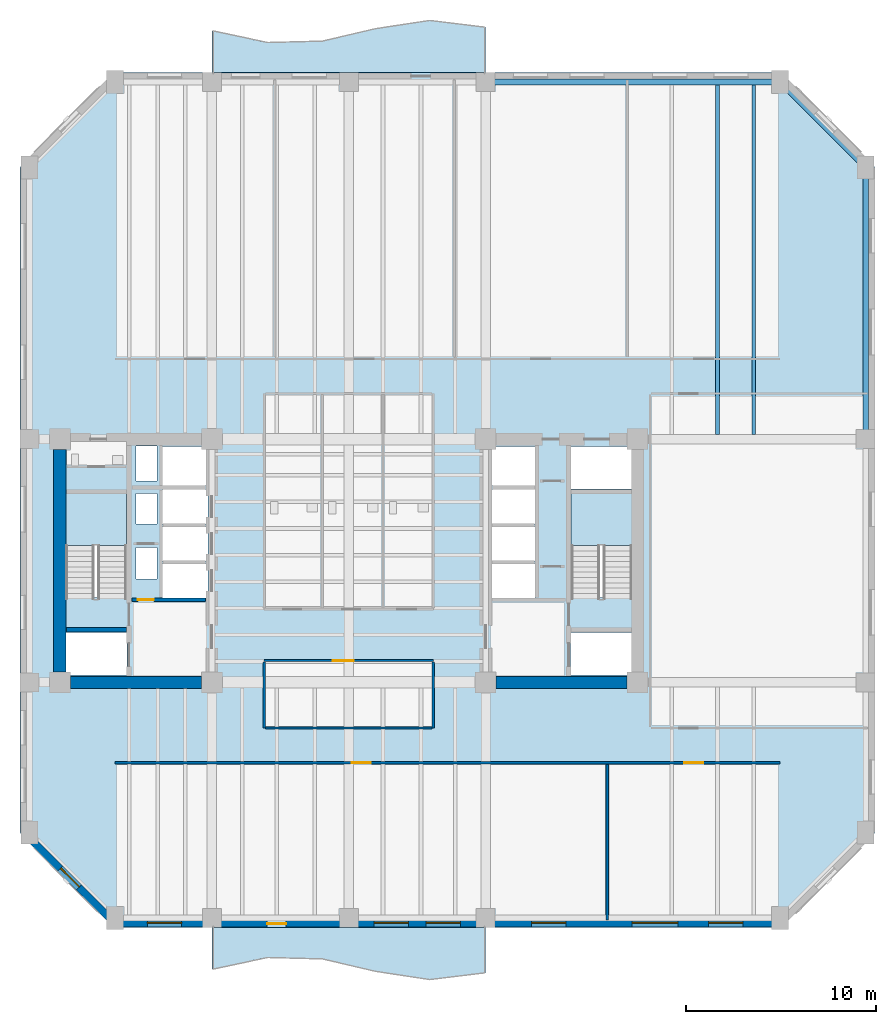
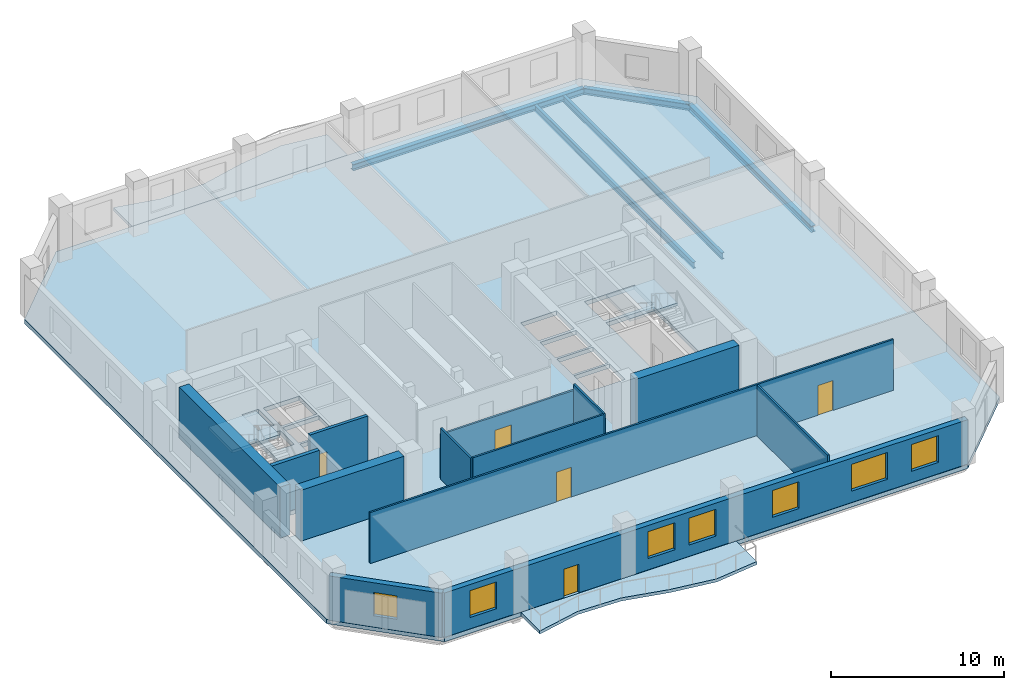
# One storey, part 2 of 9: 13 walls, 7 windows, 5 beams, 5 doors, 5 slabs, 12 openings, 2 elements without a shape of their own.
"""IFC4 building model written with IfcOpenShell, lengths in metres."""

from ifc_helpers import new_model, si_unit, direction, frame, frame_2d, origin, origin_2d, place, context, subcontext, project, spatial, polyline, rectangle, i_section, outline, extrude, material, layer, layer_set, material_profile, profile_set, type_object, element, fill, aggregate, save


model = new_model("IFC4")

# Units and contexts
model_context = context("Model", 3, precision=1e-05, world=origin(), true_north=direction((0.0, 1.0)))
body_context = subcontext(model_context, "Body", "Model", "MODEL_VIEW")
ifc_project = project(units=[si_unit("LENGTHUNIT", "METRE"), si_unit("AREAUNIT", "SQUARE_METRE"), si_unit("VOLUMEUNIT", "CUBIC_METRE"), si_unit("PLANEANGLEUNIT", "RADIAN"), si_unit("MASSUNIT", "GRAM", prefix="KILO")], contexts=[model_context])

# Site, building, storey
site_placement = place(None, origin())
site = spatial("IfcSite", under=ifc_project, at=site_placement, CompositionType="ELEMENT")
building_placement = place(site_placement, origin())
building = spatial("IfcBuilding", under=site, at=building_placement, Name="Kranthara Brick Stack", CompositionType="ELEMENT")
storey_placement = place(building_placement, frame((0.0, 0.0, 78.89990234375)))
storey = spatial("IfcBuildingStorey", under=building, at=storey_placement, Name="L19", CompositionType="ELEMENT", Elevation=78.89990234375)

# Beams
ifc_material_1 = material(Name="Steel S355", Category="steel")
ifc_material_profile_1 = material_profile(ifc_material_1, i_section(OverallWidth=0.18994140625, OverallDepth=0.449951171875, WebThickness=0.009521484375, FlangeThickness=0.0146484375, at=origin_2d()), Name="IPE 450")
ifc_profile_set_1 = profile_set([ifc_material_profile_1], Name="Steel S355")
beam_type_1 = type_object("IfcBeamType", Name="BM-JST-IPE450", PredefinedType="JOIST", material=ifc_profile_set_1)
for number, where, z_axis, x_axis, name in (
    (1, (47.39990234375, 33.85009765625, -0.52490234375), (0.0, 1.0, 0.0), (-1.0, 0.0, 0.0), "L19 North Wing Floor Joist 073"),
    (2, (49.300048828125, 33.85009765625, -0.52490234375), (0.0, 1.0, 0.0), (-1.0, 0.0, 0.0), "L19 North Wing Floor Joist 075"),
):
    element("IfcBeam", number, at=place(storey_placement, frame(where, z_axis=z_axis, x_axis=x_axis)), inside=storey, type_object=beam_type_1, Name=name, PredefinedType="JOIST", context=body_context, shape_type="SweptSolid", body=[
        extrude(i_section(OverallWidth=0.18994140625, OverallDepth=0.449951171875, WebThickness=0.009521484375, FlangeThickness=0.0146484375, at=origin_2d()), origin(), (0.0, 0.0, 1.0), 18.39990234375),
    ])
ifc_material_2 = material(Name="Steel S355", Category="steel")
ifc_material_profile_2 = material_profile(ifc_material_2, i_section(OverallWidth=0.300048828125, OverallDepth=0.449951171875, WebThickness=0.013916015625, FlangeThickness=0.02587890625, at=origin_2d()), Name="HEB 450")
ifc_profile_set_2 = profile_set([ifc_material_profile_2], Name="Steel S355")
beam_type_2 = type_object("IfcBeamType", Name="BM-STL-HEB450", PredefinedType="SPANDREL", material=ifc_profile_set_2)
beam_1_placement = place(storey_placement, frame((35.199951171875, 52.39990234375, -0.52490234375), z_axis=(1.0, 0.0, 0.0), x_axis=(0.0, 1.0, 0.0)))
element("IfcBeam", 3, at=beam_1_placement, inside=storey, type_object=beam_type_2, Name="L19 Perimeter Spandrel Beam 012", PredefinedType="SPANDREL", context=body_context, shape_type="SweptSolid", body=[
    extrude(i_section(OverallWidth=0.300048828125, OverallDepth=0.449951171875, WebThickness=0.013916015625, FlangeThickness=0.02587890625, at=origin_2d()), origin(), (0.0, 0.0, 1.0), 15.5),
])
beam_2_placement = place(storey_placement, frame((55.199951171875, 33.60009765625, -0.52490234375), z_axis=(0.0, 1.0, 0.0), x_axis=(-1.0, 0.0, 0.0)))
element("IfcBeam", 4, at=beam_2_placement, inside=storey, type_object=beam_type_2, Name="L19 Perimeter Spandrel Beam 018", PredefinedType="SPANDREL", context=body_context, shape_type="SweptSolid", body=[
    extrude(i_section(OverallWidth=0.300048828125, OverallDepth=0.449951171875, WebThickness=0.013916015625, FlangeThickness=0.02587890625, at=origin_2d()), origin(), (0.0, 0.0, 1.0), 14.2998046875),
])
beam_3_placement = place(storey_placement, frame((50.699951171875, 52.39990234375, -0.52490234375), z_axis=(0.707106781187, -0.707106781187, 0.0), x_axis=(0.707106781187, 0.707106781187, 0.0)))
element("IfcBeam", 5, at=beam_3_placement, inside=storey, type_object=beam_type_2, Name="L19 Chamfer Corner Spandrel 022", PredefinedType="SPANDREL", context=body_context, shape_type="SweptSolid", body=[
    extrude(i_section(OverallWidth=0.300048828125, OverallDepth=0.449951171875, WebThickness=0.013916015625, FlangeThickness=0.02587890625, at=origin_2d()), origin(), (0.0, 0.0, 1.0), 6.364013671875),
])

# Slabs
ifc_material_3 = material(Name="Concrete C45/55", Category="concrete")
ifc_layer_1 = layer(ifc_material_3, 0.219970703125)
ifc_layer_set_1 = layer_set([ifc_layer_1], Name="Concrete C45/55")
slab_type_1 = type_object("IfcSlabType", Name="SLB-BALC-220", PredefinedType="FLOOR", material=ifc_layer_set_1)
slab_1_placement = place(storey_placement, frame((0.0, 0.0, -0.219970703125)))
element("IfcSlab", 6, at=slab_1_placement, inside=storey, type_object=slab_type_1, Name="L19 South Rippling Balcony Slab", PredefinedType="FLOOR", context=body_context, shape_type="SweptSolid", body=[
    extrude(outline(polyline([(20.800048828125, 7.89990234375), (35.199951171875, 7.89990234375), (35.199951171875, 5.511474609375), (32.320068359375, 5.15087890625), (29.43994140625, 5.575439453125), (26.56005859375, 6.250732421875), (23.679931640625, 6.327880859375), (20.800048828125, 5.709716796875), (20.800048828125, 7.89990234375)])), origin(), (0.0, 0.0, 1.0), 0.219970703125),
])
slab_2_placement = place(storey_placement, frame((0.0, 0.0, -0.219970703125)))
element("IfcSlab", 7, at=slab_2_placement, inside=storey, type_object=slab_type_1, Name="L19 North Rippling Balcony Slab", PredefinedType="FLOOR", context=body_context, shape_type="SweptSolid", body=[
    extrude(outline(polyline([(35.199951171875, 52.89990234375), (20.800048828125, 52.89990234375), (20.800048828125, 55.09033203125), (23.679931640625, 54.47216796875), (26.56005859375, 54.549072265625), (29.43994140625, 55.224609375), (32.320068359375, 55.649169921875), (35.199951171875, 55.28857421875), (35.199951171875, 52.89990234375)])), origin(), (0.0, 0.0, 1.0), 0.219970703125),
])

# Stair, slab
ifc_material_4 = material(Name="Concrete C45/55", Category="concrete")
stair_type = type_object("IfcStairType", Name="ST-CORE-22R", PredefinedType="HALF_TURN_STAIR", material=ifc_material_4)
stair_1_placement = place(storey_placement, origin())
stair_1 = element("IfcStair", 8, at=stair_1_placement, inside=storey, type_object=stair_type, Name="L19 West Core Protected Exit Stair ST01", PredefinedType="HALF_TURN_STAIR")
ifc_material_5 = material(Name="Concrete C45/55", Category="concrete")
ifc_layer_2 = layer(ifc_material_5, 0.199951171875)
ifc_layer_set_2 = layer_set([ifc_layer_2], Name="Concrete C45/55")
slab_type_2 = type_object("IfcSlabType", Name="SLB-LANDING-200", PredefinedType="LANDING", material=ifc_layer_set_2)
slab_3_placement = place(storey_placement, frame((0.0, 0.0, 1.75)))
slab_3 = element("IfcSlab", 9, at=slab_3_placement, type_object=slab_type_2, Name="ST01 landing 1", PredefinedType="LANDING", context=body_context, shape_type="SweptSolid", body=[
    extrude(outline(polyline([(16.300048828125, 28.0), (16.300048828125, 30.75), (13.10009765625, 30.75), (13.10009765625, 28.0), (16.300048828125, 28.0)])), origin(), (0.0, 0.0, 1.0), 0.2001953125),
])
aggregate(stair_1, [slab_3])

stair_2_placement = place(storey_placement, origin())
stair_2 = element("IfcStair", 10, at=stair_2_placement, inside=storey, type_object=stair_type, Name="L19 East Core Protected Exit Stair ST02", PredefinedType="HALF_TURN_STAIR")
slab_4_placement = place(storey_placement, frame((0.0, 0.0, 1.75)))
slab_4 = element("IfcSlab", 11, at=slab_4_placement, type_object=slab_type_2, Name="ST02 landing 1", PredefinedType="LANDING", context=body_context, shape_type="SweptSolid", body=[
    extrude(outline(polyline([(42.89990234375, 28.0), (42.89990234375, 30.75), (39.699951171875, 30.75), (39.699951171875, 28.0), (42.89990234375, 28.0)])), origin(), (0.0, 0.0, 1.0), 0.2001953125),
])
aggregate(stair_2, [slab_4])

# Slab
ifc_material_6 = material(Name="Post-tensioned concrete C45/55", Category="concrete")
ifc_layer_3 = layer(ifc_material_6, 0.300048828125)
ifc_layer_set_3 = layer_set([ifc_layer_3], Name="Post-tensioned concrete C45/55")
slab_type_3 = type_object("IfcSlabType", Name="SLB-TWR-300", PredefinedType="FLOOR", material=ifc_layer_set_3)
slab_5_placement = place(storey_placement, frame((0.0, 0.0, -0.2998046875)))
element("IfcSlab", 12, at=slab_5_placement, inside=storey, type_object=slab_type_3, Name="L19 Structural Floor Plate", PredefinedType="FLOOR", context=body_context, shape_type="SweptSolid", body=[
    extrude(outline(polyline([(15.699951171875, 7.89990234375), (50.699951171875, 7.89990234375), (55.699951171875, 12.89990234375), (55.699951171875, 47.89990234375), (50.699951171875, 52.89990234375), (15.699951171875, 52.89990234375), (10.699951171875, 47.89990234375), (10.699951171875, 12.89990234375), (15.699951171875, 7.89990234375)]), holes=[polyline([(13.10009765625, 25.280029296875), (16.300048828125, 25.280029296875), (16.300048828125, 30.75), (13.10009765625, 30.75), (13.10009765625, 25.280029296875)]), polyline([(39.699951171875, 25.280029296875), (42.89990234375, 25.280029296875), (42.89990234375, 30.75), (39.699951171875, 30.75), (39.699951171875, 25.280029296875)]), polyline([(13.0, 21.179931640625), (16.320068359375, 21.179931640625), (16.320068359375, 23.419921875), (13.0, 23.419921875), (13.0, 21.179931640625)]), polyline([(39.679931640625, 21.179931640625), (43.0, 21.179931640625), (43.0, 23.419921875), (39.679931640625, 23.419921875), (39.679931640625, 21.179931640625)]), polyline([(39.679931640625, 30.97998046875), (43.0, 30.97998046875), (43.0, 33.219970703125), (39.679931640625, 33.219970703125), (39.679931640625, 30.97998046875)]), polyline([(18.199951171875, 25.25), (20.60009765625, 25.25), (20.60009765625, 27.050048828125), (18.199951171875, 27.050048828125), (18.199951171875, 25.25)]), polyline([(18.199951171875, 27.199951171875), (20.60009765625, 27.199951171875), (20.60009765625, 29.0), (18.199951171875, 29.0), (18.199951171875, 27.199951171875)]), polyline([(18.199951171875, 29.14990234375), (20.60009765625, 29.14990234375), (20.60009765625, 30.949951171875), (18.199951171875, 30.949951171875), (18.199951171875, 29.14990234375)]), polyline([(35.39990234375, 25.25), (37.800048828125, 25.25), (37.800048828125, 27.050048828125), (35.39990234375, 27.050048828125), (35.39990234375, 25.25)]), polyline([(35.39990234375, 27.199951171875), (37.800048828125, 27.199951171875), (37.800048828125, 29.0), (35.39990234375, 29.0), (35.39990234375, 27.199951171875)]), polyline([(35.39990234375, 29.14990234375), (37.800048828125, 29.14990234375), (37.800048828125, 30.949951171875), (35.39990234375, 30.949951171875), (35.39990234375, 29.14990234375)]), polyline([(18.199951171875, 31.14990234375), (20.60009765625, 31.14990234375), (20.60009765625, 33.219970703125), (18.199951171875, 33.219970703125), (18.199951171875, 31.14990234375)]), polyline([(35.39990234375, 31.14990234375), (37.800048828125, 31.14990234375), (37.800048828125, 33.219970703125), (35.39990234375, 33.219970703125), (35.39990234375, 31.14990234375)]), polyline([(16.800048828125, 26.25), (17.89990234375, 26.25), (17.89990234375, 27.89990234375), (16.800048828125, 27.89990234375), (16.800048828125, 26.25)]), polyline([(16.800048828125, 29.14990234375), (17.89990234375, 29.14990234375), (17.89990234375, 30.75), (16.800048828125, 30.75), (16.800048828125, 29.14990234375)]), polyline([(16.800048828125, 31.39990234375), (17.89990234375, 31.39990234375), (17.89990234375, 33.25), (16.800048828125, 33.25), (16.800048828125, 31.39990234375)])]), origin(), (0.0, 0.0, 1.0), 0.2998046875),
])

# Wall, openings, door, windows
ifc_material_7 = material(Name="Kiln-fired clay brick masonry M15", Category="masonry")
ifc_layer_4 = layer(ifc_material_7, 0.3798828125)
ifc_layer_set_4 = layer_set([ifc_layer_4], Name="Kiln-fired clay brick masonry M15")
wall_type_1 = type_object("IfcWallType", Name="WL-BRK-PIER-380", PredefinedType="STANDARD", material=ifc_layer_set_4)
wall_1_placement = place(storey_placement, frame((50.699951171875, 8.110107421875, 0.0), z_axis=(0.0, 0.0, 1.0), x_axis=(-1.0, 0.0, 0.0)))
wall_1 = element("IfcWall", 13, at=wall_1_placement, inside=storey, type_object=wall_type_1, Name="L19 Exterior Brick Facade Wall SOUTH 1", PredefinedType="STANDARD", context=body_context, shape_type="SweptSolid", body=[
    extrude(rectangle(XDim=35.0, YDim=0.3798828125, at=frame_2d((17.5, 0.0))), origin(), (0.0, 0.0, 1.0), 3.135009765625),
])
opening_1_placement = place(wall_1_placement, frame((26.0, 0.0, 0.0)))
opening_1 = element("IfcOpeningElement", 14, at=opening_1_placement, cuts=wall_1, Name="Opening D03", PredefinedType="OPENING", context=body_context, shape_type="SweptSolid", body=[
    extrude(rectangle(XDim=1.0, YDim=2.02001953125, at=frame_2d((0.5, 1.010009765625))), frame((0.0, 0.199951171875, 0.0), z_axis=(0.0, -1.0, 0.0), x_axis=(1.0, 0.0, 0.0)), (0.0, 0.0, 1.0), 0.39990234375),
])
opening_2_placement = place(wall_1_placement, frame((1.965087890625, 0.0, 0.800048828125)))
opening_2 = element("IfcOpeningElement", 15, at=opening_2_placement, cuts=wall_1, Name="Opening WN01", PredefinedType="OPENING", context=body_context, shape_type="SweptSolid", body=[
    extrude(rectangle(XDim=1.800048828125, YDim=1.89990234375, at=frame_2d((0.89990234375, 0.949951171875))), frame((0.0, 0.199951171875, 0.0), z_axis=(0.0, -1.0, 0.0), x_axis=(1.0, 0.0, 0.0)), (0.0, 0.0, 1.0), 0.39990234375),
])
opening_3_placement = place(wall_1_placement, frame((5.385009765625, 0.0, 0.800048828125)))
opening_3 = element("IfcOpeningElement", 16, at=opening_3_placement, cuts=wall_1, Name="Opening WN02", PredefinedType="OPENING", context=body_context, shape_type="SweptSolid", body=[
    extrude(rectangle(XDim=2.39990234375, YDim=1.89990234375, at=frame_2d((1.199951171875, 0.949951171875))), frame((0.0, 0.199951171875, 0.0), z_axis=(0.0, -1.0, 0.0), x_axis=(1.0, 0.0, 0.0)), (0.0, 0.0, 1.0), 0.39990234375),
])
opening_4_placement = place(wall_1_placement, frame((11.27490234375, 0.0, 0.800048828125)))
opening_4 = element("IfcOpeningElement", 17, at=opening_4_placement, cuts=wall_1, Name="Opening WN01", PredefinedType="OPENING", context=body_context, shape_type="SweptSolid", body=[
    extrude(rectangle(XDim=1.800048828125, YDim=1.89990234375, at=frame_2d((0.89990234375, 0.949951171875))), frame((0.0, 0.199951171875, 0.0), z_axis=(0.0, -1.0, 0.0), x_axis=(1.0, 0.0, 0.0)), (0.0, 0.0, 1.0), 0.39990234375),
])
opening_5_placement = place(wall_1_placement, frame((16.83203125, 0.0, 0.800048828125)))
opening_5 = element("IfcOpeningElement", 18, at=opening_5_placement, cuts=wall_1, Name="Opening WN01", PredefinedType="OPENING", context=body_context, shape_type="SweptSolid", body=[
    extrude(rectangle(XDim=1.800048828125, YDim=1.89990234375, at=frame_2d((0.89990234375, 0.949951171875))), frame((0.0, 0.199951171875, 0.0), z_axis=(0.0, -1.0, 0.0), x_axis=(1.0, 0.0, 0.0)), (0.0, 0.0, 1.0), 0.39990234375),
])
opening_6_placement = place(wall_1_placement, frame((19.568115234375, 0.0, 0.800048828125)))
opening_6 = element("IfcOpeningElement", 19, at=opening_6_placement, cuts=wall_1, Name="Opening WN01", PredefinedType="OPENING", context=body_context, shape_type="SweptSolid", body=[
    extrude(rectangle(XDim=1.800048828125, YDim=1.89990234375, at=frame_2d((0.89990234375, 0.949951171875))), frame((0.0, 0.199951171875, 0.0), z_axis=(0.0, -1.0, 0.0), x_axis=(1.0, 0.0, 0.0)), (0.0, 0.0, 1.0), 0.39990234375),
])
opening_7_placement = place(wall_1_placement, frame((31.5, 0.0, 0.800048828125)))
opening_7 = element("IfcOpeningElement", 20, at=opening_7_placement, cuts=wall_1, Name="Opening WN01", PredefinedType="OPENING", context=body_context, shape_type="SweptSolid", body=[
    extrude(rectangle(XDim=1.800048828125, YDim=1.89990234375, at=frame_2d((0.89990234375, 0.949951171875))), frame((0.0, 0.199951171875, 0.0), z_axis=(0.0, -1.0, 0.0), x_axis=(1.0, 0.0, 0.0)), (0.0, 0.0, 1.0), 0.39990234375),
])
ifc_material_8 = material(Name="Bronze anodised aluminium and laminated glass", Category="aluminium")
door_type_1 = type_object("IfcDoorType", Name="DR-BALC-1000", OperationType="NOTDEFINED", PredefinedType="DOOR", material=ifc_material_8)
door_1_placement = place(opening_1_placement, origin())
door_1 = element("IfcDoor", 21, at=door_1_placement, inside=storey, type_object=door_type_1, Name="L19 South Balcony Terrace Door", OperationType="SINGLE_SWING_LEFT", OverallHeight=2.02001953125, OverallWidth=1.0, PredefinedType="DOOR", context=body_context, shape_type="SweptSolid", body=[
    extrude(rectangle(XDim=1.0, YDim=2.02001953125, at=frame_2d((0.5, 1.010009765625))), frame((0.0, 0.02490234375, 0.0), z_axis=(0.0, -1.0, 0.0), x_axis=(1.0, 0.0, 0.0)), (0.0, 0.0, 1.0), 0.050048828125),
])
fill(opening_1, door_1)
ifc_material_9 = material(Name="Double-glazed low-E solar control glass", Category="glass")
window_type_1 = type_object("IfcWindowType", Name="WN-OFF-1800x2000", PartitioningType="SINGLE_PANEL", PredefinedType="WINDOW", material=ifc_material_9)
window_1_placement = place(opening_2_placement, origin())
window_1 = element("IfcWindow", 22, at=window_1_placement, inside=storey, type_object=window_type_1, Name="L19 South Deep-Set Brick Window 01", OverallHeight=1.89990234375, OverallWidth=1.800048828125, PartitioningType="SINGLE_PANEL", PredefinedType="WINDOW", context=body_context, shape_type="SweptSolid", body=[
    extrude(rectangle(XDim=1.800048828125, YDim=1.89990234375, at=frame_2d((0.89990234375, 0.949951171875))), frame((0.0, -0.010009765625, 0.0), z_axis=(0.0, -1.0, 0.0), x_axis=(1.0, 0.0, 0.0)), (0.0, 0.0, 1.0), 0.06005859375),
])
fill(opening_2, window_1)
window_2_placement = place(opening_4_placement, origin())
window_2 = element("IfcWindow", 23, at=window_2_placement, inside=storey, type_object=window_type_1, Name="L19 South Deep-Set Brick Window 03", OverallHeight=1.89990234375, OverallWidth=1.800048828125, PartitioningType="SINGLE_PANEL", PredefinedType="WINDOW", context=body_context, shape_type="SweptSolid", body=[
    extrude(rectangle(XDim=1.800048828125, YDim=1.89990234375, at=frame_2d((0.89990234375, 0.949951171875))), frame((0.0, -0.010009765625, 0.0), z_axis=(0.0, -1.0, 0.0), x_axis=(1.0, 0.0, 0.0)), (0.0, 0.0, 1.0), 0.06005859375),
])
fill(opening_4, window_2)
window_3_placement = place(opening_5_placement, origin())
window_3 = element("IfcWindow", 24, at=window_3_placement, inside=storey, type_object=window_type_1, Name="L19 South Deep-Set Brick Window 04", OverallHeight=1.89990234375, OverallWidth=1.800048828125, PartitioningType="SINGLE_PANEL", PredefinedType="WINDOW", context=body_context, shape_type="SweptSolid", body=[
    extrude(rectangle(XDim=1.800048828125, YDim=1.89990234375, at=frame_2d((0.89990234375, 0.949951171875))), frame((0.0, -0.010009765625, 0.0), z_axis=(0.0, -1.0, 0.0), x_axis=(1.0, 0.0, 0.0)), (0.0, 0.0, 1.0), 0.06005859375),
])
fill(opening_5, window_3)
window_4_placement = place(opening_6_placement, origin())
window_4 = element("IfcWindow", 25, at=window_4_placement, inside=storey, type_object=window_type_1, Name="L19 South Deep-Set Brick Window 05", OverallHeight=1.89990234375, OverallWidth=1.800048828125, PartitioningType="SINGLE_PANEL", PredefinedType="WINDOW", context=body_context, shape_type="SweptSolid", body=[
    extrude(rectangle(XDim=1.800048828125, YDim=1.89990234375, at=frame_2d((0.89990234375, 0.949951171875))), frame((0.0, -0.010009765625, 0.0), z_axis=(0.0, -1.0, 0.0), x_axis=(1.0, 0.0, 0.0)), (0.0, 0.0, 1.0), 0.06005859375),
])
fill(opening_6, window_4)
window_5_placement = place(opening_7_placement, origin())
window_5 = element("IfcWindow", 26, at=window_5_placement, inside=storey, type_object=window_type_1, Name="L19 South Deep-Set Brick Window 06", OverallHeight=1.89990234375, OverallWidth=1.800048828125, PartitioningType="SINGLE_PANEL", PredefinedType="WINDOW", context=body_context, shape_type="SweptSolid", body=[
    extrude(rectangle(XDim=1.800048828125, YDim=1.89990234375, at=frame_2d((0.89990234375, 0.949951171875))), frame((0.0, -0.010009765625, 0.0), z_axis=(0.0, -1.0, 0.0), x_axis=(1.0, 0.0, 0.0)), (0.0, 0.0, 1.0), 0.06005859375),
])
fill(opening_7, window_5)
ifc_material_10 = material(Name="Double-glazed low-E solar control glass", Category="glass")
window_type_2 = type_object("IfcWindowType", Name="WN-OFF-2400x2000", PartitioningType="DOUBLE_PANEL_VERTICAL", PredefinedType="WINDOW", material=ifc_material_10)
window_6_placement = place(opening_3_placement, origin())
window_6 = element("IfcWindow", 27, at=window_6_placement, inside=storey, type_object=window_type_2, Name="L19 South Deep-Set Brick Window 02", OverallHeight=1.89990234375, OverallWidth=2.39990234375, PartitioningType="SINGLE_PANEL", PredefinedType="WINDOW", context=body_context, shape_type="SweptSolid", body=[
    extrude(rectangle(XDim=2.39990234375, YDim=1.89990234375, at=frame_2d((1.199951171875, 0.949951171875))), frame((0.0, -0.010009765625, 0.0), z_axis=(0.0, -1.0, 0.0), x_axis=(1.0, 0.0, 0.0)), (0.0, 0.0, 1.0), 0.06005859375),
])
fill(opening_3, window_6)

# Wall, opening, window
wall_2_placement = place(storey_placement, frame((15.699951171875, 8.110107421875, 0.0), z_axis=(0.0, 0.0, 1.0), x_axis=(-0.707124801467, 0.707088760447, 0.0)))
wall_2 = element("IfcWall", 28, at=wall_2_placement, inside=storey, type_object=wall_type_1, Name="L19 Exterior Brick Facade Wall SW 1", PredefinedType="STANDARD", context=body_context, shape_type="SweptSolid", body=[
    extrude(rectangle(XDim=6.77392578125, YDim=0.3798828125, at=frame_2d((3.386962890625, 0.0))), origin(), (0.0, 0.0, 1.0), 3.135009765625),
])
opening_8_placement = place(wall_2_placement, frame((2.68701171875, 0.0, 0.800048828125)))
opening_8 = element("IfcOpeningElement", 29, at=opening_8_placement, cuts=wall_2, Name="Opening WN10", PredefinedType="OPENING", context=body_context, shape_type="SweptSolid", body=[
    extrude(rectangle(XDim=1.39990234375, YDim=1.64990234375, at=frame_2d((0.699951171875, 0.824951171875))), frame((0.0, 0.199951171875, 0.0), z_axis=(0.0, -1.0, 0.0), x_axis=(1.0, 0.0, 0.0)), (0.0, 0.0, 1.0), 0.39990234375),
])
ifc_material_11 = material(Name="Double-glazed low-E solar control glass", Category="glass")
window_type_3 = type_object("IfcWindowType", Name="WN-CHM-1400x1750", PartitioningType="SINGLE_PANEL", PredefinedType="WINDOW", material=ifc_material_11)
window_7_placement = place(opening_8_placement, origin())
window_7 = element("IfcWindow", 30, at=window_7_placement, inside=storey, type_object=window_type_3, Name="L19 SW Chamfer Corner Window", OverallHeight=1.64990234375, OverallWidth=1.39990234375, PartitioningType="SINGLE_PANEL", PredefinedType="WINDOW", context=body_context, shape_type="SweptSolid", body=[
    extrude(rectangle(XDim=1.39990234375, YDim=1.64990234375, at=frame_2d((0.699951171875, 0.824951171875))), frame((0.0, -0.010009765625, 0.0), z_axis=(0.0, -1.0, 0.0), x_axis=(1.0, 0.0, 0.0)), (0.0, 0.0, 1.0), 0.06005859375),
])
fill(opening_8, window_7)

# Walls
ifc_material_12 = material(Name="Concrete C50/60", Category="concrete")
ifc_layer_5 = layer(ifc_material_12, 0.25)
ifc_layer_set_5 = layer_set([ifc_layer_5], Name="Concrete C50/60")
wall_type_2 = type_object("IfcWallType", Name="WL-CORE-250", PredefinedType="SHEAR", material=ifc_layer_set_5)
wall_3_placement = place(storey_placement, frame((13.135009765625, 23.570068359375, 0.0), z_axis=(0.0, 0.0, 1.0), x_axis=(1.0, 0.0, 0.0)))
element("IfcWall", 31, at=wall_3_placement, inside=storey, type_object=wall_type_2, Name="L19 West Stairwell Bearing Wall WFF", PredefinedType="SHEAR", context=body_context, shape_type="SweptSolid", body=[
    extrude(rectangle(XDim=3.175048828125, YDim=0.25, at=frame_2d((1.58740234375, 0.0))), origin(), (0.0, 0.0, 1.0), 3.60009765625),
])
ifc_material_13 = material(Name="Concrete C60/75", Category="concrete")
ifc_layer_6 = layer(ifc_material_13, 0.64990234375)
ifc_layer_set_6 = layer_set([ifc_layer_6], Name="Concrete C60/75")
wall_type_3 = type_object("IfcWallType", Name="WL-CORE-650", PredefinedType="SHEAR", material=ifc_layer_set_6)
wall_4_placement = place(storey_placement, frame((12.800048828125, 21.35498046875, 0.0), z_axis=(0.0, 0.0, 1.0), x_axis=(0.0, 1.0, 0.0)))
element("IfcWall", 32, at=wall_4_placement, inside=storey, type_object=wall_type_3, Name="L19 West Core Shear Wall West", PredefinedType="SHEAR", context=body_context, shape_type="SweptSolid", body=[
    extrude(rectangle(XDim=11.68994140625, YDim=0.64990234375, at=frame_2d((5.844970703125, 0.0))), origin(), (0.0, 0.0, 1.0), 3.60009765625),
])
for number, where, z_axis, x_axis, name in (
    (33, (13.35498046875, 20.800048828125, 0.0), (0.0, 0.0, 1.0), (1.0, 0.0, 0.0), "L19 West Core Shear Wall South"),
    (34, (35.7548828125, 20.800048828125, 0.0), (0.0, 0.0, 1.0), (1.0, 0.0, 0.0), "L19 East Core Shear Wall South"),
):
    element("IfcWall", number, at=place(storey_placement, frame(where, z_axis=z_axis, x_axis=x_axis)), inside=storey, type_object=wall_type_3, Name=name, PredefinedType="SHEAR", context=body_context, shape_type="SweptSolid", body=[
        extrude(rectangle(XDim=6.89013671875, YDim=0.64990234375, at=frame_2d((3.445068359375, 0.0))), origin(), (0.0, 0.0, 1.0), 3.60009765625),
    ])

# Wall, opening, door
ifc_material_14 = material(Name="Acoustic gypsum plasterboard partition", Category="other")
ifc_layer_7 = layer(ifc_material_14, 0.1201171875)
ifc_layer_set_7 = layer_set([ifc_layer_7], Name="Acoustic gypsum plasterboard partition")
wall_type_4 = type_object("IfcWallType", Name="WL-PART-120", PredefinedType="PARTITIONING", material=ifc_layer_set_7)
wall_5_placement = place(storey_placement, frame((23.550048828125, 21.949951171875, 0.0), z_axis=(0.0, 0.0, 1.0), x_axis=(1.0, 0.0, 0.0)))
wall_5 = element("IfcWall", 35, at=wall_5_placement, inside=storey, type_object=wall_type_4, Name="L19 Interior Partition 011", PredefinedType="PARTITIONING", context=body_context, shape_type="SweptSolid", body=[
    extrude(rectangle(XDim=8.89990234375, YDim=0.1201171875, at=frame_2d((4.449951171875, 0.0))), origin(), (0.0, 0.0, 1.0), 3.135009765625),
])
opening_9_placement = place(wall_5_placement, frame((3.60009765625, 0.0, 0.0)))
opening_9 = element("IfcOpeningElement", 36, at=opening_9_placement, cuts=wall_5, Name="Opening D11", PredefinedType="OPENING", context=body_context, shape_type="SweptSolid", body=[
    extrude(rectangle(XDim=1.10009765625, YDim=2.14990234375, at=frame_2d((0.550048828125, 1.074951171875))), frame((0.0, 0.070068359375, 0.0), z_axis=(0.0, -1.0, 0.0), x_axis=(1.0, 0.0, 0.0)), (0.0, 0.0, 1.0), 0.14013671875),
])
ifc_material_15 = material(Name="Solid-core hardwood timber leaf in steel frame", Category="steel")
door_type_2 = type_object("IfcDoorType", Name="DR-INT-1100", OperationType="NOTDEFINED", PredefinedType="DOOR", material=ifc_material_15)
door_2_placement = place(opening_9_placement, origin())
door_2 = element("IfcDoor", 37, at=door_2_placement, inside=storey, type_object=door_type_2, Name="L19 Internal Briefing Room 08", OperationType="SINGLE_SWING_RIGHT", OverallHeight=2.14990234375, OverallWidth=1.10009765625, PredefinedType="DOOR", context=body_context, shape_type="SweptSolid", body=[
    extrude(rectangle(XDim=1.10009765625, YDim=2.14990234375, at=frame_2d((0.550048828125, 1.074951171875))), frame((0.0, 0.02490234375, 0.0), z_axis=(0.0, -1.0, 0.0), x_axis=(1.0, 0.0, 0.0)), (0.0, 0.0, 1.0), 0.050048828125),
])
fill(opening_9, door_2)

# Walls
for number, where, z_axis, x_axis, name in (
    (38, (23.550048828125, 18.39990234375, 0.0), (0.0, 0.0, 1.0), (0.0, 1.0, 0.0), "L19 Interior Partition 012"),
    (39, (32.449951171875, 18.39990234375, 0.0), (0.0, 0.0, 1.0), (0.0, 1.0, 0.0), "L19 Interior Partition 013"),
):
    element("IfcWall", number, at=place(storey_placement, frame(where, z_axis=z_axis, x_axis=x_axis)), inside=storey, type_object=wall_type_4, Name=name, PredefinedType="PARTITIONING", context=body_context, shape_type="SweptSolid", body=[
        extrude(rectangle(XDim=3.485107421875, YDim=0.1201171875, at=frame_2d((1.74267578125, 0.0))), origin(), (0.0, 0.0, 1.0), 3.60009765625),
    ])
wall_6_placement = place(storey_placement, frame((23.614990234375, 18.39990234375, 0.0), z_axis=(0.0, 0.0, 1.0), x_axis=(1.0, 0.0, 0.0)))
element("IfcWall", 40, at=wall_6_placement, inside=storey, type_object=wall_type_4, Name="L19 Interior Partition 014", PredefinedType="PARTITIONING", context=body_context, shape_type="SweptSolid", body=[
    extrude(rectangle(XDim=8.77001953125, YDim=0.1201171875, at=frame_2d((4.385009765625, 0.0))), origin(), (0.0, 0.0, 1.0), 3.60009765625),
])

# Wall, openings, doors
wall_7_placement = place(storey_placement, frame((15.699951171875, 16.580078125, 0.0), z_axis=(0.0, 0.0, 1.0), x_axis=(1.0, 0.0, 0.0)))
wall_7 = element("IfcWall", 41, at=wall_7_placement, inside=storey, type_object=wall_type_4, Name="L19 Interior Partition 015", PredefinedType="PARTITIONING", context=body_context, shape_type="SweptSolid", body=[
    extrude(rectangle(XDim=35.0, YDim=0.1201171875, at=frame_2d((17.5, 0.0))), origin(), (0.0, 0.0, 1.0), 3.60009765625),
])
opening_10_placement = place(wall_7_placement, frame((12.449951171875, 0.0, 0.0)))
opening_10 = element("IfcOpeningElement", 42, at=opening_10_placement, cuts=wall_7, Name="Opening D13", PredefinedType="OPENING", context=body_context, shape_type="SweptSolid", body=[
    extrude(rectangle(XDim=1.0, YDim=2.10009765625, at=frame_2d((0.5, 1.050048828125))), frame((0.0, 0.070068359375, 0.0), z_axis=(0.0, -1.0, 0.0), x_axis=(1.0, 0.0, 0.0)), (0.0, 0.0, 1.0), 0.14013671875),
])
opening_11_placement = place(wall_7_placement, frame((29.949951171875, 0.0, 0.0)))
opening_11 = element("IfcOpeningElement", 43, at=opening_11_placement, cuts=wall_7, Name="Opening D13", PredefinedType="OPENING", context=body_context, shape_type="SweptSolid", body=[
    extrude(rectangle(XDim=1.0, YDim=2.10009765625, at=frame_2d((0.5, 1.050048828125))), frame((0.0, 0.070068359375, 0.0), z_axis=(0.0, -1.0, 0.0), x_axis=(1.0, 0.0, 0.0)), (0.0, 0.0, 1.0), 0.14013671875),
])
ifc_material_16 = material(Name="Solid-core hardwood timber leaf in steel frame", Category="steel")
door_type_3 = type_object("IfcDoorType", Name="DR-INT-1000", OperationType="NOTDEFINED", PredefinedType="DOOR", material=ifc_material_16)
door_3_placement = place(opening_10_placement, origin())
door_3 = element("IfcDoor", 44, at=door_3_placement, inside=storey, type_object=door_type_3, Name="L19 Open Plan Workspace 09", OperationType="SINGLE_SWING_LEFT", OverallHeight=2.10009765625, OverallWidth=1.0, PredefinedType="DOOR", context=body_context, shape_type="SweptSolid", body=[
    extrude(rectangle(XDim=1.0, YDim=2.10009765625, at=frame_2d((0.5, 1.050048828125))), frame((0.0, 0.02490234375, 0.0), z_axis=(0.0, -1.0, 0.0), x_axis=(1.0, 0.0, 0.0)), (0.0, 0.0, 1.0), 0.050048828125),
])
fill(opening_10, door_3)
door_4_placement = place(opening_11_placement, origin())
door_4 = element("IfcDoor", 45, at=door_4_placement, inside=storey, type_object=door_type_3, Name="L19 Staff Pantry 10", OperationType="SINGLE_SWING_RIGHT", OverallHeight=2.10009765625, OverallWidth=1.0, PredefinedType="DOOR", context=body_context, shape_type="SweptSolid", body=[
    extrude(rectangle(XDim=1.0, YDim=2.10009765625, at=frame_2d((0.5, 1.050048828125))), frame((0.0, 0.02490234375, 0.0), z_axis=(0.0, -1.0, 0.0), x_axis=(1.0, 0.0, 0.0)), (0.0, 0.0, 1.0), 0.050048828125),
])
fill(opening_11, door_4)

# Wall
wall_8_placement = place(storey_placement, frame((41.60009765625, 8.304931640625, 0.0), z_axis=(0.0, 0.0, 1.0), x_axis=(0.0, 1.0, 0.0)))
element("IfcWall", 46, at=wall_8_placement, inside=storey, type_object=wall_type_4, Name="L19 Interior Partition 016", PredefinedType="PARTITIONING", context=body_context, shape_type="SweptSolid", body=[
    extrude(rectangle(XDim=8.175048828125, YDim=0.1201171875, at=frame_2d((4.08740234375, 0.0))), origin(), (0.0, 0.0, 1.0), 3.60009765625),
])

# Wall, opening, door
ifc_material_17 = material(Name="Concrete C40/50", Category="concrete")
ifc_layer_8 = layer(ifc_material_17, 0.199951171875)
ifc_layer_set_8 = layer_set([ifc_layer_8], Name="Concrete C40/50")
wall_type_5 = type_object("IfcWallType", Name="WL-PART-200", PredefinedType="SOLIDWALL", material=ifc_layer_set_8)
wall_9_placement = place(storey_placement, frame((16.60009765625, 25.14990234375, 0.0), z_axis=(0.0, 0.0, 1.0), x_axis=(1.0, 0.0, 0.0)))
wall_9 = element("IfcWall", 47, at=wall_9_placement, inside=storey, type_object=wall_type_5, Name="L19 West Core Cross Wall WFL", PredefinedType="SOLIDWALL", context=body_context, shape_type="SweptSolid", body=[
    extrude(rectangle(XDim=3.864990234375, YDim=0.199951171875, at=frame_2d((1.9326171875, 0.0))), origin(), (0.0, 0.0, 1.0), 3.60009765625),
])
opening_12_placement = place(wall_9_placement, frame((0.300048828125, 0.0, 0.0)))
opening_12 = element("IfcOpeningElement", 48, at=opening_12_placement, cuts=wall_9, Name="Opening D10", PredefinedType="OPENING", context=body_context, shape_type="SweptSolid", body=[
    extrude(rectangle(XDim=0.85009765625, YDim=2.02001953125, at=frame_2d((0.425048828125, 1.010009765625))), frame((0.0, 0.10986328125, 0.0), z_axis=(0.0, -1.0, 0.0), x_axis=(1.0, 0.0, 0.0)), (0.0, 0.0, 1.0), 0.219970703125),
])
ifc_material_18 = material(Name="Solid-core hardwood timber leaf in steel frame", Category="steel")
door_type_4 = type_object("IfcDoorType", Name="DR-RSR-850", OperationType="NOTDEFINED", PredefinedType="DOOR", material=ifc_material_18)
door_5_placement = place(opening_12_placement, origin())
door_5 = element("IfcDoor", 49, at=door_5_placement, inside=storey, type_object=door_type_4, Name="L19 Mechanical Riser Access Door", OperationType="SINGLE_SWING_LEFT", OverallHeight=2.02001953125, OverallWidth=0.85009765625, PredefinedType="DOOR", context=body_context, shape_type="SweptSolid", body=[
    extrude(rectangle(XDim=0.85009765625, YDim=2.02001953125, at=frame_2d((0.425048828125, 1.010009765625))), frame((0.0, 0.02490234375, 0.0), z_axis=(0.0, -1.0, 0.0), x_axis=(1.0, 0.0, 0.0)), (0.0, 0.0, 1.0), 0.050048828125),
])
fill(opening_12, door_5)

save(model, "model.ifc")
